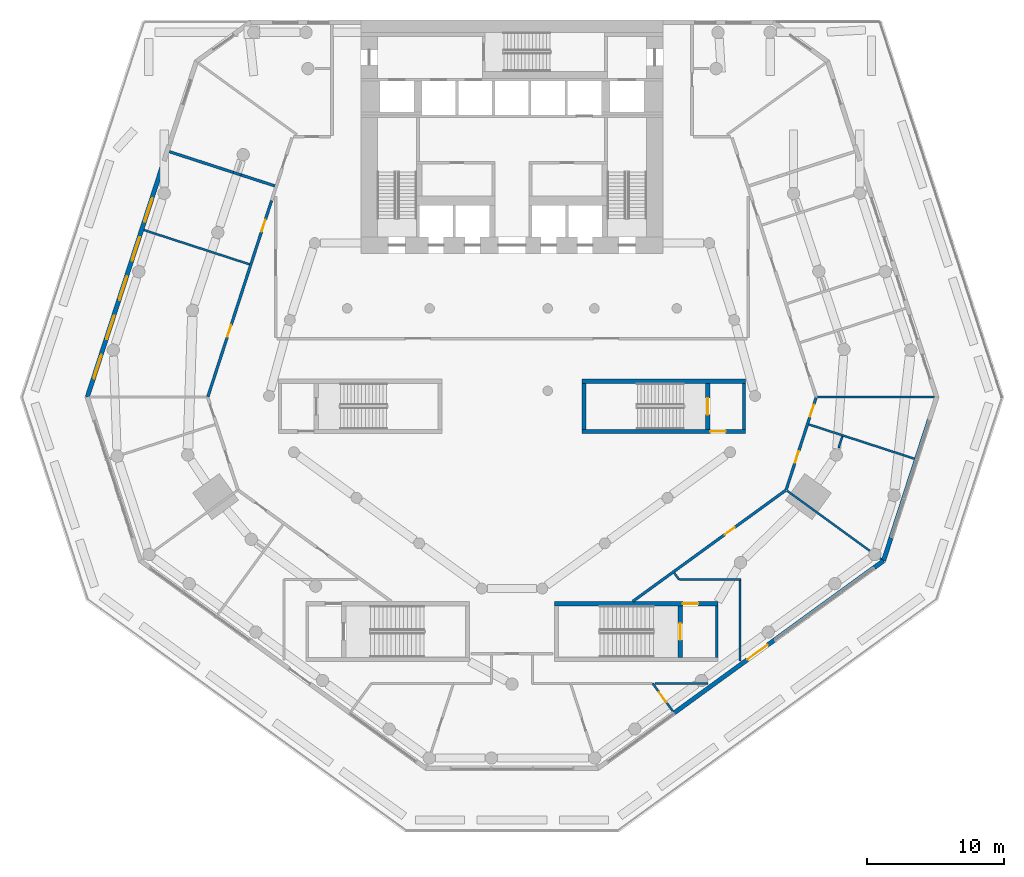
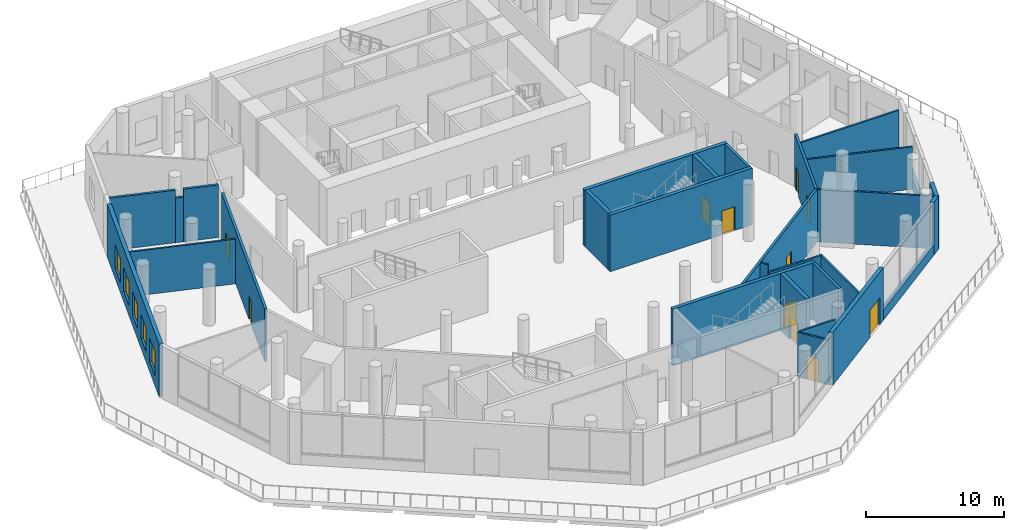
# One storey, part 10 of 19: 30 walls, 11 doors, 5 windows, 16 openings.
"""IFC4 building model written with IfcOpenShell, lengths in metres."""

from ifc_helpers import new_model, si_unit, direction, frame, frame_2d, origin, place, context, subcontext, project, spatial, rectangle, extrude, material, layer, layer_set, type_object, element, fill, save


model = new_model("IFC4")

# Units and contexts
model_context = context("Model", 3, precision=1e-05, world=origin(), true_north=direction((0.0, 1.0)))
body_context = subcontext(model_context, "Body", "Model", "MODEL_VIEW")
ifc_project = project(units=[si_unit("LENGTHUNIT", "METRE"), si_unit("AREAUNIT", "SQUARE_METRE"), si_unit("VOLUMEUNIT", "CUBIC_METRE"), si_unit("PLANEANGLEUNIT", "RADIAN"), si_unit("MASSUNIT", "GRAM", prefix="KILO")], contexts=[model_context])

# Site, building, storey
site_placement = place(None, origin())
site = spatial("IfcSite", under=ifc_project, at=site_placement, CompositionType="ELEMENT")
building_placement = place(site_placement, origin())
building = spatial("IfcBuilding", under=site, at=building_placement, Name="White Candle Pilgrim Tower", CompositionType="ELEMENT")
storey_placement = place(building_placement, frame((0.0, 0.0, 29.0)))
storey = spatial("IfcBuildingStorey", under=building, at=storey_placement, Name="L04", CompositionType="ELEMENT", Elevation=29.0)

# Walls
ifc_material_1 = material(Name="Autoclaved aerated block D500, plastered")
ifc_layer_1 = layer(ifc_material_1, 0.199951171875)
ifc_layer_set_1 = layer_set([ifc_layer_1], Name="Compartment wall 200 mm REI 240")
wall_type_1 = type_object("IfcWallType", Name="Compartment wall 200 mm REI 240", PredefinedType="PARTITIONING", material=ifc_layer_set_1)
wall_1_placement = place(storey_placement, frame((45.05322265625, 78.414306640625, 0.0), z_axis=(0.0, 0.0, 1.0), x_axis=(0.95106819954, -0.308981034733, 0.0)))
element("IfcWall", 1, at=wall_1_placement, inside=storey, type_object=wall_type_1, Name="WL-L04-P020", PredefinedType="PARTITIONING", context=body_context, shape_type="SweptSolid", body=[
    extrude(rectangle(XDim=4.887939453125, YDim=0.199951171875, at=frame_2d((2.44384765625, 0.0))), origin(), (0.0, 0.0, 1.0), 4.64990234375),
])
wall_2_placement = place(storey_placement, frame((49.701904296875, 76.904052734375, 0.0), z_axis=(0.0, 0.0, 1.0), x_axis=(0.951022080269, -0.30912295748, 0.0)))
element("IfcWall", 2, at=wall_2_placement, inside=storey, type_object=wall_type_1, Name="WL-L04-P020a", PredefinedType="PARTITIONING", context=body_context, shape_type="SweptSolid", body=[
    extrude(rectangle(XDim=0.5986328125, YDim=0.199951171875, at=frame_2d((0.29931640625, 0.0))), origin(), (0.0, 0.0, 1.0), 3.949951171875),
])
wall_3_placement = place(storey_placement, frame((50.271240234375, 76.718994140625, 0.0), z_axis=(0.0, 0.0, 1.0), x_axis=(0.951047211668, -0.309045629606, 0.0)))
element("IfcWall", 3, at=wall_3_placement, inside=storey, type_object=wall_type_1, Name="WL-L04-P020b", PredefinedType="PARTITIONING", context=body_context, shape_type="SweptSolid", body=[
    extrude(rectangle(XDim=2.593505859375, YDim=0.199951171875, at=frame_2d((1.296875, 0.0))), origin(), (0.0, 0.0, 1.0), 4.64990234375),
])
ifc_material_2 = material(Name="Concrete C70/85", Category="concrete")
ifc_layer_2 = layer(ifc_material_2, 0.199951171875)
ifc_layer_set_2 = layer_set([ifc_layer_2], Name="Core wall 200 mm Concrete C70/85")
wall_type_2 = type_object("IfcWallType", Name="Core wall 200 mm Concrete C70/85", PredefinedType="SHEAR", material=ifc_layer_set_2)
wall_4_placement = place(storey_placement, frame((84.89990234375, 41.60009765625, 0.0), z_axis=(0.0, 0.0, 1.0), x_axis=(0.0, 1.0, 0.0)))
element("IfcWall", 4, at=wall_4_placement, inside=storey, type_object=wall_type_2, Name="WL-L04-C08", PredefinedType="SHEAR", context=body_context, shape_type="SweptSolid", body=[
    extrude(rectangle(XDim=3.75, YDim=0.199951171875, at=frame_2d((1.875, 0.0))), origin(), (0.0, 0.0, 1.0), 5.0),
])
wall_5_placement = place(storey_placement, frame((86.89990234375, 58.199951171875, 0.0), z_axis=(0.0, 0.0, 1.0), x_axis=(0.0, 1.0, 0.0)))
element("IfcWall", 5, at=wall_5_placement, inside=storey, type_object=wall_type_2, Name="WL-L04-C18", PredefinedType="SHEAR", context=body_context, shape_type="SweptSolid", body=[
    extrude(rectangle(XDim=3.35009765625, YDim=0.199951171875, at=frame_2d((1.675048828125, 0.0))), origin(), (0.0, 0.0, 1.0), 5.0),
])

# Wall, openings, doors
ifc_material_3 = material(Name="Gypsum board on steel studs", Category="steel")
ifc_layer_3 = layer(ifc_material_3, 0.199951171875)
ifc_layer_set_3 = layer_set([ifc_layer_3], Name="Corridor wall 200 mm EI 45")
wall_type_3 = type_object("IfcWallType", Name="Corridor wall 200 mm EI 45", PredefinedType="PARTITIONING", material=ifc_layer_set_3)
wall_6_placement = place(storey_placement, frame((47.856201171875, 60.570068359375, 0.0), z_axis=(0.0, 0.0, 1.0), x_axis=(0.309027605618, 0.951053068428, 0.0)))
wall_6 = element("IfcWall", 6, at=wall_6_placement, inside=storey, type_object=wall_type_3, Name="WL-L04-P003", PredefinedType="PARTITIONING", context=body_context, shape_type="SweptSolid", body=[
    extrude(rectangle(XDim=15.012939453125, YDim=0.199951171875, at=frame_2d((7.50634765625, 0.0))), origin(), (0.0, 0.0, 1.0), 4.64990234375),
])
opening_1_placement = place(wall_6_placement, frame((12.65478515625, 0.0, 0.0)))
opening_1 = element("IfcOpeningElement", 7, at=opening_1_placement, cuts=wall_6, Name="Opening L04-102", PredefinedType="OPENING", context=body_context, shape_type="SweptSolid", body=[
    extrude(rectangle(XDim=0.89990234375, YDim=2.10009765625, at=frame_2d((0.449951171875, 1.050048828125))), frame((0.0, 0.10986328125, 0.0), z_axis=(0.0, -1.0, 0.0), x_axis=(1.0, 0.0, 0.0)), (0.0, 0.0, 1.0), 0.219970703125),
])
opening_2_placement = place(wall_6_placement, frame((4.586181640625, 0.0, 0.0)))
opening_2 = element("IfcOpeningElement", 8, at=opening_2_placement, cuts=wall_6, Name="Opening L04-103", PredefinedType="OPENING", context=body_context, shape_type="SweptSolid", body=[
    extrude(rectangle(XDim=0.89990234375, YDim=2.10009765625, at=frame_2d((0.449951171875, 1.050048828125))), frame((0.0, 0.10986328125, 0.0), z_axis=(0.0, -1.0, 0.0), x_axis=(1.0, 0.0, 0.0)), (0.0, 0.0, 1.0), 0.219970703125),
])
ifc_material_4 = material(Name="Steel door leaf", Category="steel")
door_type_1 = type_object("IfcDoorType", Name="Fire door 900 x 2100 EI 30", OperationType="NOTDEFINED", PredefinedType="DOOR", material=ifc_material_4)
door_1_placement = place(opening_1_placement, origin())
door_1 = element("IfcDoor", 9, at=door_1_placement, inside=storey, type_object=door_type_1, Name="Door L04-102", OperationType="SINGLE_SWING_RIGHT", OverallHeight=2.10009765625, OverallWidth=0.89990234375, PredefinedType="DOOR", context=body_context, shape_type="SweptSolid", body=[
    extrude(rectangle(XDim=0.89990234375, YDim=2.10009765625, at=frame_2d((0.449951171875, 1.050048828125))), frame((0.0, 0.02490234375, 0.0), z_axis=(0.0, -1.0, 0.0), x_axis=(1.0, 0.0, 0.0)), (0.0, 0.0, 1.0), 0.050048828125),
])
fill(opening_1, door_1)
door_2_placement = place(opening_2_placement, origin())
door_2 = element("IfcDoor", 10, at=door_2_placement, inside=storey, type_object=door_type_1, Name="Door L04-103", OperationType="SINGLE_SWING_LEFT", OverallHeight=2.10009765625, OverallWidth=0.89990234375, PredefinedType="DOOR", context=body_context, shape_type="SweptSolid", body=[
    extrude(rectangle(XDim=0.89990234375, YDim=2.10009765625, at=frame_2d((0.449951171875, 1.050048828125))), frame((0.0, 0.02490234375, 0.0), z_axis=(0.0, -1.0, 0.0), x_axis=(1.0, 0.0, 0.0)), (0.0, 0.0, 1.0), 0.050048828125),
])
fill(opening_2, door_2)

wall_7_placement = place(storey_placement, frame((92.143798828125, 60.50830078125, 0.0), z_axis=(0.0, 0.0, 1.0), x_axis=(-0.309023375149, -0.951054443032, 0.0)))
wall_7 = element("IfcWall", 11, at=wall_7_placement, inside=storey, type_object=wall_type_3, Name="WL-L04-P009", PredefinedType="PARTITIONING", context=body_context, shape_type="SweptSolid", body=[
    extrude(rectangle(XDim=7.0439453125, YDim=0.199951171875, at=frame_2d((3.52197265625, 0.0))), origin(), (0.0, 0.0, 1.0), 4.64990234375),
])
opening_3_placement = place(wall_7_placement, frame((4.09912109375, 0.0, 0.0)))
opening_3 = element("IfcOpeningElement", 12, at=opening_3_placement, cuts=wall_7, Name="Opening L04-110", PredefinedType="OPENING", context=body_context, shape_type="SweptSolid", body=[
    extrude(rectangle(XDim=0.89990234375, YDim=2.10009765625, at=frame_2d((0.449951171875, 1.050048828125))), frame((0.0, 0.10986328125, 0.0), z_axis=(0.0, -1.0, 0.0), x_axis=(1.0, 0.0, 0.0)), (0.0, 0.0, 1.0), 0.219970703125),
])
opening_4_placement = place(wall_7_placement, frame((0.544921875, 0.0, 0.0)))
opening_4 = element("IfcOpeningElement", 13, at=opening_4_placement, cuts=wall_7, Name="Opening L04-111", PredefinedType="OPENING", context=body_context, shape_type="SweptSolid", body=[
    extrude(rectangle(XDim=0.89990234375, YDim=2.10009765625, at=frame_2d((0.449951171875, 1.050048828125))), frame((0.0, 0.10986328125, 0.0), z_axis=(0.0, -1.0, 0.0), x_axis=(1.0, 0.0, 0.0)), (0.0, 0.0, 1.0), 0.219970703125),
])
door_3_placement = place(opening_3_placement, origin())
door_3 = element("IfcDoor", 14, at=door_3_placement, inside=storey, type_object=door_type_1, Name="Door L04-110", OperationType="SINGLE_SWING_RIGHT", OverallHeight=2.10009765625, OverallWidth=0.89990234375, PredefinedType="DOOR", context=body_context, shape_type="SweptSolid", body=[
    extrude(rectangle(XDim=0.89990234375, YDim=2.10009765625, at=frame_2d((0.449951171875, 1.050048828125))), frame((0.0, 0.02490234375, 0.0), z_axis=(0.0, -1.0, 0.0), x_axis=(1.0, 0.0, 0.0)), (0.0, 0.0, 1.0), 0.050048828125),
])
fill(opening_3, door_3)
door_4_placement = place(opening_4_placement, origin())
door_4 = element("IfcDoor", 15, at=door_4_placement, inside=storey, type_object=door_type_1, Name="Door L04-111", OperationType="SINGLE_SWING_LEFT", OverallHeight=2.10009765625, OverallWidth=0.89990234375, PredefinedType="DOOR", context=body_context, shape_type="SweptSolid", body=[
    extrude(rectangle(XDim=0.89990234375, YDim=2.10009765625, at=frame_2d((0.449951171875, 1.050048828125))), frame((0.0, 0.02490234375, 0.0), z_axis=(0.0, -1.0, 0.0), x_axis=(1.0, 0.0, 0.0)), (0.0, 0.0, 1.0), 0.050048828125),
])
fill(opening_4, door_4)

# Wall, opening, door
wall_8_placement = place(storey_placement, frame((89.9306640625, 53.759033203125, 0.0), z_axis=(0.0, 0.0, 1.0), x_axis=(-0.809024401628, -0.587775056948, 0.0)))
wall_8 = element("IfcWall", 16, at=wall_8_placement, inside=storey, type_object=wall_type_3, Name="WL-L04-P010", PredefinedType="PARTITIONING", context=body_context, shape_type="SweptSolid", body=[
    extrude(rectangle(XDim=13.763427734375, YDim=0.199951171875, at=frame_2d((6.8818359375, 0.0))), origin(), (0.0, 0.0, 1.0), 4.64990234375),
])
opening_5_placement = place(wall_8_placement, frame((4.586181640625, 0.0, 0.0)))
opening_5 = element("IfcOpeningElement", 17, at=opening_5_placement, cuts=wall_8, Name="Opening L04-109", PredefinedType="OPENING", context=body_context, shape_type="SweptSolid", body=[
    extrude(rectangle(XDim=0.89990234375, YDim=2.10009765625, at=frame_2d((0.449951171875, 1.050048828125))), frame((0.0, 0.10986328125, 0.0), z_axis=(0.0, -1.0, 0.0), x_axis=(1.0, 0.0, 0.0)), (0.0, 0.0, 1.0), 0.219970703125),
])
door_5_placement = place(opening_5_placement, origin())
door_5 = element("IfcDoor", 18, at=door_5_placement, inside=storey, type_object=door_type_1, Name="Door L04-109", OperationType="SINGLE_SWING_LEFT", OverallHeight=2.10009765625, OverallWidth=0.89990234375, PredefinedType="DOOR", context=body_context, shape_type="SweptSolid", body=[
    extrude(rectangle(XDim=0.89990234375, YDim=2.10009765625, at=frame_2d((0.449951171875, 1.050048828125))), frame((0.0, 0.02490234375, 0.0), z_axis=(0.0, -1.0, 0.0), x_axis=(1.0, 0.0, 0.0)), (0.0, 0.0, 1.0), 0.050048828125),
])
fill(opening_5, door_5)

ifc_material_5 = material(Name="Precast concrete C40/50", Category="concrete")
ifc_layer_4 = layer(ifc_material_5, 0.320068359375)
ifc_layer_set_4 = layer_set([ifc_layer_4], Name="Facade wall EW3 precast concrete C40/50 and stone-faced podium wall")
wall_type_4 = type_object("IfcWallType", Name="Facade wall EW3 precast concrete C40/50 and stone-faced podium wall", PredefinedType="SOLIDWALL", material=ifc_layer_set_4)
wall_9_placement = place(storey_placement, frame((81.8037109375, 37.545654296875, 0.0), z_axis=(0.0, 0.0, 1.0), x_axis=(0.809022210299, 0.587778073121, 0.0)))
wall_9 = element("IfcWall", 19, at=wall_9_placement, inside=storey, type_object=wall_type_4, Name="Facade wall L04 SE", PredefinedType="SOLIDWALL", context=body_context, shape_type="SweptSolid", body=[
    extrude(rectangle(XDim=9.0, YDim=0.320068359375, at=frame_2d((4.5, 0.0))), origin(), (0.0, 0.0, 1.0), 4.64990234375),
])
opening_6_placement = place(wall_9_placement, frame((6.60009765625, 0.0, 0.0)))
opening_6 = element("IfcOpeningElement", 20, at=opening_6_placement, cuts=wall_9, Name="Opening L04-925", PredefinedType="OPENING", context=body_context, shape_type="SweptSolid", body=[
    extrude(rectangle(XDim=1.800048828125, YDim=2.39990234375, at=frame_2d((0.89990234375, 1.199951171875))), frame((0.0, 0.169921875, 0.0), z_axis=(0.0, -1.0, 0.0), x_axis=(1.0, 0.0, 0.0)), (0.0, 0.0, 1.0), 0.340087890625),
])
ifc_material_6 = material(Name="Timber frame with laminated glazing", Category="wood")
door_type_2 = type_object("IfcDoorType", Name="Terrace door EN4 1800x2400 double leaf glazed", OperationType="DOUBLE_DOOR_DOUBLE_SWING", PredefinedType="DOOR", material=ifc_material_6)
door_6_placement = place(opening_6_placement, origin())
door_6 = element("IfcDoor", 21, at=door_6_placement, inside=storey, type_object=door_type_2, Name="Door L04 SE 5", OperationType="DOUBLE_DOOR_DOUBLE_SWING", OverallHeight=2.39990234375, OverallWidth=1.800048828125, PredefinedType="DOOR", context=body_context, shape_type="SweptSolid", body=[
    extrude(rectangle(XDim=1.800048828125, YDim=2.39990234375, at=frame_2d((0.89990234375, 1.199951171875))), frame((0.0, 0.0400390625, 0.0), z_axis=(0.0, -1.0, 0.0), x_axis=(1.0, 0.0, 0.0)), (0.0, 0.0, 1.0), 0.050048828125),
])
fill(opening_6, door_6)

# Walls
wall_10_placement = place(storey_placement, frame((89.0849609375, 42.835693359375, 0.0), z_axis=(0.0, 0.0, 1.0), x_axis=(0.808999938455, 0.587808727036, 0.0)))
element("IfcWall", 22, at=wall_10_placement, inside=storey, type_object=wall_type_4, Name="Sill wall L04 SE", PredefinedType="SOLIDWALL", context=body_context, shape_type="SweptSolid", body=[
    extrude(rectangle(XDim=9.0, YDim=0.320068359375, at=frame_2d((4.5, 0.0))), origin(), (0.0, 0.0, 1.0), 0.89990234375),
])
wall_11_placement = place(storey_placement, frame((96.365966796875, 48.1259765625, 0.0), z_axis=(0.0, 0.0, 1.0), x_axis=(0.809172006105, 0.587571837766, 0.0)))
element("IfcWall", 23, at=wall_11_placement, inside=storey, type_object=wall_type_4, Name="Facade wall L04 SE", PredefinedType="SOLIDWALL", context=body_context, shape_type="SweptSolid", body=[
    extrude(rectangle(XDim=0.84716796875, YDim=0.320068359375, at=frame_2d((0.423583984375, 0.0))), origin(), (0.0, 0.0, 1.0), 4.64990234375),
])
wall_12_placement = place(storey_placement, frame((97.051513671875, 48.623779296875, 0.0), z_axis=(0.0, 0.0, 1.0), x_axis=(0.308995332064, 0.951063554534, 0.0)))
element("IfcWall", 24, at=wall_12_placement, inside=storey, type_object=wall_type_4, Name="Facade wall L04 E chamfer", PredefinedType="SOLIDWALL", context=body_context, shape_type="SweptSolid", body=[
    extrude(rectangle(XDim=1.764404296875, YDim=0.320068359375, at=frame_2d((0.88232421875, 0.0))), origin(), (0.0, 0.0, 1.0), 4.64990234375),
])
wall_13_placement = place(storey_placement, frame((97.5966796875, 50.3017578125, 0.0), z_axis=(0.0, 0.0, 1.0), x_axis=(0.309000197986, 0.951061973609, 0.0)))
element("IfcWall", 25, at=wall_13_placement, inside=storey, type_object=wall_type_4, Name="Sill wall L04 E chamfer", PredefinedType="SOLIDWALL", context=body_context, shape_type="SweptSolid", body=[
    extrude(rectangle(XDim=9.0, YDim=0.320068359375, at=frame_2d((4.5, 0.0))), origin(), (0.0, 0.0, 1.0), 0.89990234375),
])

# Wall, openings, windows
wall_14_placement = place(storey_placement, frame((44.66943359375, 77.750732421875, 0.0), z_axis=(0.0, 0.0, 1.0), x_axis=(-0.309010726546, -0.951058552813, 0.0)))
wall_14 = element("IfcWall", 26, at=wall_14_placement, inside=storey, type_object=wall_type_4, Name="Facade wall L04 WNW", PredefinedType="SOLIDWALL", context=body_context, shape_type="SweptSolid", body=[
    extrude(rectangle(XDim=18.097412109375, YDim=0.320068359375, at=frame_2d((9.048828125, 0.0))), origin(), (0.0, 0.0, 1.0), 4.64990234375),
])
opening_7_placement = place(wall_14_placement, frame((2.85009765625, 0.0, 0.89990234375)))
opening_7 = element("IfcOpeningElement", 27, at=opening_7_placement, cuts=wall_14, Name="Opening W8", PredefinedType="OPENING", context=body_context, shape_type="SweptSolid", body=[
    extrude(rectangle(XDim=1.800048828125, YDim=2.10009765625, at=frame_2d((0.89990234375, 1.050048828125))), frame((0.0, 0.169921875, 0.0), z_axis=(0.0, -1.0, 0.0), x_axis=(1.0, 0.0, 0.0)), (0.0, 0.0, 1.0), 0.340087890625),
])
opening_8_placement = place(wall_14_placement, frame((5.85009765625, 0.0, 0.89990234375)))
opening_8 = element("IfcOpeningElement", 28, at=opening_8_placement, cuts=wall_14, Name="Opening W8", PredefinedType="OPENING", context=body_context, shape_type="SweptSolid", body=[
    extrude(rectangle(XDim=1.800048828125, YDim=2.10009765625, at=frame_2d((0.89990234375, 1.050048828125))), frame((0.0, 0.169921875, 0.0), z_axis=(0.0, -1.0, 0.0), x_axis=(1.0, 0.0, 0.0)), (0.0, 0.0, 1.0), 0.340087890625),
])
opening_9_placement = place(wall_14_placement, frame((8.85009765625, 0.0, 0.89990234375)))
opening_9 = element("IfcOpeningElement", 29, at=opening_9_placement, cuts=wall_14, Name="Opening W8", PredefinedType="OPENING", context=body_context, shape_type="SweptSolid", body=[
    extrude(rectangle(XDim=1.800048828125, YDim=2.10009765625, at=frame_2d((0.89990234375, 1.050048828125))), frame((0.0, 0.169921875, 0.0), z_axis=(0.0, -1.0, 0.0), x_axis=(1.0, 0.0, 0.0)), (0.0, 0.0, 1.0), 0.340087890625),
])
opening_10_placement = place(wall_14_placement, frame((11.85009765625, 0.0, 0.89990234375)))
opening_10 = element("IfcOpeningElement", 30, at=opening_10_placement, cuts=wall_14, Name="Opening W8", PredefinedType="OPENING", context=body_context, shape_type="SweptSolid", body=[
    extrude(rectangle(XDim=1.800048828125, YDim=2.10009765625, at=frame_2d((0.89990234375, 1.050048828125))), frame((0.0, 0.169921875, 0.0), z_axis=(0.0, -1.0, 0.0), x_axis=(1.0, 0.0, 0.0)), (0.0, 0.0, 1.0), 0.340087890625),
])
opening_11_placement = place(wall_14_placement, frame((14.85009765625, 0.0, 0.89990234375)))
opening_11 = element("IfcOpeningElement", 31, at=opening_11_placement, cuts=wall_14, Name="Opening W8", PredefinedType="OPENING", context=body_context, shape_type="SweptSolid", body=[
    extrude(rectangle(XDim=1.800048828125, YDim=2.10009765625, at=frame_2d((0.89990234375, 1.050048828125))), frame((0.0, 0.169921875, 0.0), z_axis=(0.0, -1.0, 0.0), x_axis=(1.0, 0.0, 0.0)), (0.0, 0.0, 1.0), 0.340087890625),
])
ifc_material_7 = material(Name="Timber frame with triple glazing", Category="wood")
window_type = type_object("IfcWindowType", Name="Window W8 1800x2100 timber frame triple glazing", PartitioningType="SINGLE_PANEL", PredefinedType="WINDOW", material=ifc_material_7)
window_1_placement = place(opening_7_placement, origin())
window_1 = element("IfcWindow", 32, at=window_1_placement, inside=storey, type_object=window_type, Name="Window W8 L04 WNW 4", OverallHeight=2.10009765625, OverallWidth=1.800048828125, PartitioningType="SINGLE_PANEL", PredefinedType="WINDOW", context=body_context, shape_type="SweptSolid", body=[
    extrude(rectangle(XDim=1.800048828125, YDim=2.10009765625, at=frame_2d((0.89990234375, 1.050048828125))), frame((0.0, 0.070068359375, 0.0), z_axis=(0.0, -1.0, 0.0), x_axis=(1.0, 0.0, 0.0)), (0.0, 0.0, 1.0), 0.06005859375),
])
fill(opening_7, window_1)
window_2_placement = place(opening_8_placement, origin())
window_2 = element("IfcWindow", 33, at=window_2_placement, inside=storey, type_object=window_type, Name="Window W8 L04 WNW 5", OverallHeight=2.10009765625, OverallWidth=1.800048828125, PartitioningType="SINGLE_PANEL", PredefinedType="WINDOW", context=body_context, shape_type="SweptSolid", body=[
    extrude(rectangle(XDim=1.800048828125, YDim=2.10009765625, at=frame_2d((0.89990234375, 1.050048828125))), frame((0.0, 0.070068359375, 0.0), z_axis=(0.0, -1.0, 0.0), x_axis=(1.0, 0.0, 0.0)), (0.0, 0.0, 1.0), 0.06005859375),
])
fill(opening_8, window_2)
window_3_placement = place(opening_9_placement, origin())
window_3 = element("IfcWindow", 34, at=window_3_placement, inside=storey, type_object=window_type, Name="Window W8 L04 WNW 6", OverallHeight=2.10009765625, OverallWidth=1.800048828125, PartitioningType="SINGLE_PANEL", PredefinedType="WINDOW", context=body_context, shape_type="SweptSolid", body=[
    extrude(rectangle(XDim=1.800048828125, YDim=2.10009765625, at=frame_2d((0.89990234375, 1.050048828125))), frame((0.0, 0.070068359375, 0.0), z_axis=(0.0, -1.0, 0.0), x_axis=(1.0, 0.0, 0.0)), (0.0, 0.0, 1.0), 0.06005859375),
])
fill(opening_9, window_3)
window_4_placement = place(opening_10_placement, origin())
window_4 = element("IfcWindow", 35, at=window_4_placement, inside=storey, type_object=window_type, Name="Window W8 L04 WNW 7", OverallHeight=2.10009765625, OverallWidth=1.800048828125, PartitioningType="SINGLE_PANEL", PredefinedType="WINDOW", context=body_context, shape_type="SweptSolid", body=[
    extrude(rectangle(XDim=1.800048828125, YDim=2.10009765625, at=frame_2d((0.89990234375, 1.050048828125))), frame((0.0, 0.070068359375, 0.0), z_axis=(0.0, -1.0, 0.0), x_axis=(1.0, 0.0, 0.0)), (0.0, 0.0, 1.0), 0.06005859375),
])
fill(opening_10, window_4)
window_5_placement = place(opening_11_placement, origin())
window_5 = element("IfcWindow", 36, at=window_5_placement, inside=storey, type_object=window_type, Name="Window W8 L04 WNW 8", OverallHeight=2.10009765625, OverallWidth=1.800048828125, PartitioningType="SINGLE_PANEL", PredefinedType="WINDOW", context=body_context, shape_type="SweptSolid", body=[
    extrude(rectangle(XDim=1.800048828125, YDim=2.10009765625, at=frame_2d((0.89990234375, 1.050048828125))), frame((0.0, 0.070068359375, 0.0), z_axis=(0.0, -1.0, 0.0), x_axis=(1.0, 0.0, 0.0)), (0.0, 0.0, 1.0), 0.06005859375),
])
fill(opening_11, window_5)

# Walls
ifc_layer_5 = layer(ifc_material_3, 0.14990234375)
ifc_layer_set_5 = layer_set([ifc_layer_5], Name="Partition 150 mm EI 60")
wall_type_5 = type_object("IfcWallType", Name="Partition 150 mm EI 60", PredefinedType="PARTITIONING", material=ifc_layer_set_5)
wall_15_placement = place(storey_placement, frame((96.915283203125, 48.72265625, 0.0), z_axis=(0.0, 0.0, 1.0), x_axis=(-0.809007500309, 0.587798319531, 0.0)))
element("IfcWall", 37, at=wall_15_placement, inside=storey, type_object=wall_type_5, Name="WL-L04-P017", PredefinedType="PARTITIONING", context=body_context, shape_type="SweptSolid", body=[
    extrude(rectangle(XDim=8.515869140625, YDim=0.14990234375, at=frame_2d((4.2578125, 0.0))), origin(), (0.0, 0.0, 1.0), 4.64990234375),
])
wall_16_placement = place(storey_placement, frame((100.754638671875, 60.539306640625, 0.0), z_axis=(0.0, 0.0, 1.0), x_axis=(-1.0, 0.0, 0.0)))
element("IfcWall", 38, at=wall_16_placement, inside=storey, type_object=wall_type_5, Name="WL-L04-P018", PredefinedType="PARTITIONING", context=body_context, shape_type="SweptSolid", body=[
    extrude(rectangle(XDim=8.515869140625, YDim=0.14990234375, at=frame_2d((4.2578125, 0.0))), origin(), (0.0, 0.0, 1.0), 3.75),
])
wall_17_placement = place(storey_placement, frame((43.19921875, 72.7080078125, 0.0), z_axis=(0.0, 0.0, 1.0), x_axis=(0.951058046839, -0.309012283804, 0.0)))
element("IfcWall", 39, at=wall_17_placement, inside=storey, type_object=wall_type_5, Name="WL-L04-P021", PredefinedType="PARTITIONING", context=body_context, shape_type="SweptSolid", body=[
    extrude(rectangle(XDim=8.080078125, YDim=0.14990234375, at=frame_2d((4.0400390625, 0.0))), origin(), (0.0, 0.0, 1.0), 3.949951171875),
])

# Wall, opening, door
wall_18_placement = place(storey_placement, frame((81.709716796875, 37.67529296875, 0.0), z_axis=(0.0, 0.0, 1.0), x_axis=(-0.587835231723, 0.808980679834, 0.0)))
wall_18 = element("IfcWall", 40, at=wall_18_placement, inside=storey, type_object=wall_type_5, Name="WL-L04-P025", PredefinedType="PARTITIONING", context=body_context, shape_type="SweptSolid", body=[
    extrude(rectangle(XDim=2.502685546875, YDim=0.14990234375, at=frame_2d((1.25146484375, 0.0))), origin(), (0.0, 0.0, 1.0), 3.949951171875),
])
opening_12_placement = place(wall_18_placement, frame((0.801513671875, 0.0, 0.0)))
opening_12 = element("IfcOpeningElement", 41, at=opening_12_placement, cuts=wall_18, Name="Opening L04-125", PredefinedType="OPENING", context=body_context, shape_type="SweptSolid", body=[
    extrude(rectangle(XDim=0.89990234375, YDim=2.10009765625, at=frame_2d((0.449951171875, 1.050048828125))), frame((0.0, 0.0849609375, 0.0), z_axis=(0.0, -1.0, 0.0), x_axis=(1.0, 0.0, 0.0)), (0.0, 0.0, 1.0), 0.169921875),
])
door_7_placement = place(opening_12_placement, frame((0.89990234375, 0.0, 0.0), z_axis=(0.0, 0.0, 1.0), x_axis=(-1.0, 0.0, 0.0)))
door_7 = element("IfcDoor", 42, at=door_7_placement, inside=storey, type_object=door_type_1, Name="Door L04-125", OperationType="SINGLE_SWING_RIGHT", OverallHeight=2.10009765625, OverallWidth=0.89990234375, PredefinedType="DOOR", context=body_context, shape_type="SweptSolid", body=[
    extrude(rectangle(XDim=0.89990234375, YDim=2.10009765625, at=frame_2d((0.449951171875, 1.050048828125))), frame((0.0, 0.02490234375, 0.0), z_axis=(0.0, -1.0, 0.0), x_axis=(1.0, 0.0, 0.0)), (0.0, 0.0, 1.0), 0.050048828125),
])
fill(opening_12, door_7)

# Walls
wall_19_placement = place(storey_placement, frame((82.169677734375, 47.25, 0.0), z_axis=(0.0, 0.0, 1.0), x_axis=(-0.58790738915, 0.808928242666, 0.0)))
element("IfcWall", 43, at=wall_19_placement, inside=storey, type_object=wall_type_5, Name="WL-L04-P026", PredefinedType="PARTITIONING", context=body_context, shape_type="SweptSolid", body=[
    extrude(rectangle(XDim=0.604248046875, YDim=0.14990234375, at=frame_2d((0.30224609375, 0.0))), origin(), (0.0, 0.0, 1.0), 4.64990234375),
])
wall_20_placement = place(storey_placement, frame((99.298583984375, 56.0576171875, 0.0), z_axis=(0.0, 0.0, 1.0), x_axis=(-0.951058046839, 0.309012283804, 0.0)))
element("IfcWall", 44, at=wall_20_placement, inside=storey, type_object=wall_type_5, Name="WL-L04-P027", PredefinedType="PARTITIONING", context=body_context, shape_type="SweptSolid", body=[
    extrude(rectangle(XDim=8.080078125, YDim=0.14990234375, at=frame_2d((4.0400390625, 0.0))), origin(), (0.0, 0.0, 1.0), 3.75),
])
wall_21_placement = place(storey_placement, frame((93.781005859375, 56.842041015625, 0.0), z_axis=(0.0, 0.0, 1.0), x_axis=(0.309092318163, 0.951032038815, 0.0)))
element("IfcWall", 45, at=wall_21_placement, inside=storey, type_object=wall_type_5, Name="WL-L04-P036", PredefinedType="PARTITIONING", context=body_context, shape_type="SweptSolid", body=[
    extrude(rectangle(XDim=0.8837890625, YDim=0.14990234375, at=frame_2d((0.44189453125, 0.0))), origin(), (0.0, 0.0, 1.0), 3.949951171875),
])
wall_22_placement = place(storey_placement, frame((86.60009765625, 41.328857421875, 0.0), z_axis=(0.0, 0.0, 1.0), x_axis=(0.0, 1.0, 0.0)))
element("IfcWall", 46, at=wall_22_placement, inside=storey, type_object=wall_type_5, Name="WL-L04-P050", PredefinedType="PARTITIONING", context=body_context, shape_type="SweptSolid", body=[
    extrude(rectangle(XDim=5.981201171875, YDim=0.14990234375, at=frame_2d((2.99072265625, 0.0))), origin(), (0.0, 0.0, 1.0), 3.949951171875),
])
wall_23_placement = place(storey_placement, frame((86.659912109375, 47.25, 0.0), z_axis=(0.0, 0.0, 1.0), x_axis=(-1.0, 0.0, 0.0)))
element("IfcWall", 47, at=wall_23_placement, inside=storey, type_object=wall_type_5, Name="WL-L04-P051", PredefinedType="PARTITIONING", context=body_context, shape_type="SweptSolid", body=[
    extrude(rectangle(XDim=4.448974609375, YDim=0.14990234375, at=frame_2d((2.224609375, 0.0))), origin(), (0.0, 0.0, 1.0), 3.949951171875),
])
wall_24_placement = place(storey_placement, frame((80.405517578125, 39.699951171875, 0.0), z_axis=(0.0, 0.0, 1.0), x_axis=(1.0, 0.0, 0.0)))
element("IfcWall", 48, at=wall_24_placement, inside=storey, type_object=wall_type_5, Name="WL-L04-P053", PredefinedType="PARTITIONING", context=body_context, shape_type="SweptSolid", body=[
    extrude(rectangle(XDim=3.869873046875, YDim=0.14990234375, at=frame_2d((1.93505859375, 0.0))), origin(), (0.0, 0.0, 1.0), 3.949951171875),
])

# Wall, opening, door
ifc_layer_6 = layer(ifc_material_2, 0.300048828125)
ifc_layer_set_6 = layer_set([ifc_layer_6], Name="Stair shaft wall 300 mm Concrete C70/85")
wall_type_6 = type_object("IfcWallType", Name="Stair shaft wall 300 mm Concrete C70/85", PredefinedType="SHEAR", material=ifc_layer_set_6)
wall_25_placement = place(storey_placement, frame((82.25, 41.60009765625, 0.0), z_axis=(0.0, 0.0, 1.0), x_axis=(0.0, 1.0, 0.0)))
wall_25 = element("IfcWall", 49, at=wall_25_placement, inside=storey, type_object=wall_type_6, Name="WL-L04-C07", PredefinedType="SHEAR", context=body_context, shape_type="SweptSolid", body=[
    extrude(rectangle(XDim=3.75, YDim=0.300048828125, at=frame_2d((1.875, 0.0))), origin(), (0.0, 0.0, 1.0), 5.0),
])
opening_13_placement = place(wall_25_placement, frame((1.27490234375, 0.0, 0.0)))
opening_13 = element("IfcOpeningElement", 50, at=opening_13_placement, cuts=wall_25, Name="Opening L04-014", PredefinedType="OPENING", context=body_context, shape_type="SweptSolid", body=[
    extrude(rectangle(XDim=1.199951171875, YDim=2.10009765625, at=frame_2d((0.60009765625, 1.050048828125))), frame((0.0, 0.159912109375, 0.0), z_axis=(0.0, -1.0, 0.0), x_axis=(1.0, 0.0, 0.0)), (0.0, 0.0, 1.0), 0.320068359375),
])
door_type_3 = type_object("IfcDoorType", Name="Fire door 1200 x 2100 EI 60", OperationType="NOTDEFINED", PredefinedType="DOOR", material=ifc_material_4)
door_8_placement = place(opening_13_placement, origin())
door_8 = element("IfcDoor", 51, at=door_8_placement, inside=storey, type_object=door_type_3, Name="Door L04-014", OperationType="SINGLE_SWING_RIGHT", OverallHeight=2.10009765625, OverallWidth=1.199951171875, PredefinedType="DOOR", context=body_context, shape_type="SweptSolid", body=[
    extrude(rectangle(XDim=1.199951171875, YDim=2.10009765625, at=frame_2d((0.60009765625, 1.050048828125))), frame((0.0, 0.02490234375, 0.0), z_axis=(0.0, -1.0, 0.0), x_axis=(1.0, 0.0, 0.0)), (0.0, 0.0, 1.0), 0.050048828125),
])
fill(opening_13, door_8)

wall_26_placement = place(storey_placement, frame((73.10009765625, 45.5, 0.0), z_axis=(0.0, 0.0, 1.0), x_axis=(1.0, 0.0, 0.0)))
wall_26 = element("IfcWall", 52, at=wall_26_placement, inside=storey, type_object=wall_type_6, Name="WL-L04-C10", PredefinedType="SHEAR", context=body_context, shape_type="SweptSolid", body=[
    extrude(rectangle(XDim=11.89990234375, YDim=0.300048828125, at=frame_2d((5.949951171875, 0.0))), origin(), (0.0, 0.0, 1.0), 5.0),
])
opening_14_placement = place(wall_26_placement, frame((9.35009765625, 0.0, 0.0)))
opening_14 = element("IfcOpeningElement", 53, at=opening_14_placement, cuts=wall_26, Name="Opening L04-013", PredefinedType="OPENING", context=body_context, shape_type="SweptSolid", body=[
    extrude(rectangle(XDim=1.10009765625, YDim=2.10009765625, at=frame_2d((0.550048828125, 1.050048828125))), frame((0.0, 0.159912109375, 0.0), z_axis=(0.0, -1.0, 0.0), x_axis=(1.0, 0.0, 0.0)), (0.0, 0.0, 1.0), 0.320068359375),
])
door_type_4 = type_object("IfcDoorType", Name="Fire door 1100 x 2100 EI 60", OperationType="NOTDEFINED", PredefinedType="DOOR", material=ifc_material_4)
door_9_placement = place(opening_14_placement, frame((1.10009765625, 0.0, 0.0), z_axis=(0.0, 0.0, 1.0), x_axis=(-1.0, 0.0, 0.0)))
door_9 = element("IfcDoor", 54, at=door_9_placement, inside=storey, type_object=door_type_4, Name="Door L04-013", OperationType="SINGLE_SWING_RIGHT", OverallHeight=2.10009765625, OverallWidth=1.10009765625, PredefinedType="DOOR", context=body_context, shape_type="SweptSolid", body=[
    extrude(rectangle(XDim=1.10009765625, YDim=2.10009765625, at=frame_2d((0.550048828125, 1.050048828125))), frame((0.0, 0.02490234375, 0.0), z_axis=(0.0, -1.0, 0.0), x_axis=(1.0, 0.0, 0.0)), (0.0, 0.0, 1.0), 0.050048828125),
])
fill(opening_14, door_9)

wall_27_placement = place(storey_placement, frame((75.10009765625, 58.050048828125, 0.0), z_axis=(0.0, 0.0, 1.0), x_axis=(1.0, 0.0, 0.0)))
wall_27 = element("IfcWall", 55, at=wall_27_placement, inside=storey, type_object=wall_type_6, Name="WL-L04-C12", PredefinedType="SHEAR", context=body_context, shape_type="SweptSolid", body=[
    extrude(rectangle(XDim=11.89990234375, YDim=0.300048828125, at=frame_2d((5.949951171875, 0.0))), origin(), (0.0, 0.0, 1.0), 5.0),
])
opening_15_placement = place(wall_27_placement, frame((9.35009765625, 0.0, 0.0)))
opening_15 = element("IfcOpeningElement", 56, at=opening_15_placement, cuts=wall_27, Name="Opening L04-009", PredefinedType="OPENING", context=body_context, shape_type="SweptSolid", body=[
    extrude(rectangle(XDim=1.10009765625, YDim=2.10009765625, at=frame_2d((0.550048828125, 1.050048828125))), frame((0.0, 0.159912109375, 0.0), z_axis=(0.0, -1.0, 0.0), x_axis=(1.0, 0.0, 0.0)), (0.0, 0.0, 1.0), 0.320068359375),
])
door_10_placement = place(opening_15_placement, origin())
door_10 = element("IfcDoor", 57, at=door_10_placement, inside=storey, type_object=door_type_4, Name="Door L04-009", OperationType="SINGLE_SWING_LEFT", OverallHeight=2.10009765625, OverallWidth=1.10009765625, PredefinedType="DOOR", context=body_context, shape_type="SweptSolid", body=[
    extrude(rectangle(XDim=1.10009765625, YDim=2.10009765625, at=frame_2d((0.550048828125, 1.050048828125))), frame((0.0, 0.02490234375, 0.0), z_axis=(0.0, -1.0, 0.0), x_axis=(1.0, 0.0, 0.0)), (0.0, 0.0, 1.0), 0.050048828125),
])
fill(opening_15, door_10)

# Wall
wall_28_placement = place(storey_placement, frame((75.25, 58.199951171875, 0.0), z_axis=(0.0, 0.0, 1.0), x_axis=(0.0, 1.0, 0.0)))
element("IfcWall", 58, at=wall_28_placement, inside=storey, type_object=wall_type_6, Name="WL-L04-C16", PredefinedType="SHEAR", context=body_context, shape_type="SweptSolid", body=[
    extrude(rectangle(XDim=3.35009765625, YDim=0.300048828125, at=frame_2d((1.675048828125, 0.0))), origin(), (0.0, 0.0, 1.0), 5.0),
])

# Wall, opening, door
wall_29_placement = place(storey_placement, frame((84.25, 58.199951171875, 0.0), z_axis=(0.0, 0.0, 1.0), x_axis=(0.0, 1.0, 0.0)))
wall_29 = element("IfcWall", 59, at=wall_29_placement, inside=storey, type_object=wall_type_6, Name="WL-L04-C17", PredefinedType="SHEAR", context=body_context, shape_type="SweptSolid", body=[
    extrude(rectangle(XDim=3.35009765625, YDim=0.300048828125, at=frame_2d((1.675048828125, 0.0))), origin(), (0.0, 0.0, 1.0), 5.0),
])
opening_16_placement = place(wall_29_placement, frame((1.074951171875, 0.0, 0.0)))
opening_16 = element("IfcOpeningElement", 60, at=opening_16_placement, cuts=wall_29, Name="Opening L04-010", PredefinedType="OPENING", context=body_context, shape_type="SweptSolid", body=[
    extrude(rectangle(XDim=1.199951171875, YDim=2.10009765625, at=frame_2d((0.60009765625, 1.050048828125))), frame((0.0, 0.159912109375, 0.0), z_axis=(0.0, -1.0, 0.0), x_axis=(1.0, 0.0, 0.0)), (0.0, 0.0, 1.0), 0.320068359375),
])
door_11_placement = place(opening_16_placement, origin())
door_11 = element("IfcDoor", 61, at=door_11_placement, inside=storey, type_object=door_type_3, Name="Door L04-010", OperationType="SINGLE_SWING_RIGHT", OverallHeight=2.10009765625, OverallWidth=1.199951171875, PredefinedType="DOOR", context=body_context, shape_type="SweptSolid", body=[
    extrude(rectangle(XDim=1.199951171875, YDim=2.10009765625, at=frame_2d((0.60009765625, 1.050048828125))), frame((0.0, 0.02490234375, 0.0), z_axis=(0.0, -1.0, 0.0), x_axis=(1.0, 0.0, 0.0)), (0.0, 0.0, 1.0), 0.050048828125),
])
fill(opening_16, door_11)

# Wall
wall_30_placement = place(storey_placement, frame((75.10009765625, 61.699951171875, 0.0), z_axis=(0.0, 0.0, 1.0), x_axis=(1.0, 0.0, 0.0)))
element("IfcWall", 62, at=wall_30_placement, inside=storey, type_object=wall_type_6, Name="WL-L04-C20", PredefinedType="SHEAR", context=body_context, shape_type="SweptSolid", body=[
    extrude(rectangle(XDim=11.89990234375, YDim=0.300048828125, at=frame_2d((5.949951171875, 0.0))), origin(), (0.0, 0.0, 1.0), 5.0),
])

save(model, "model.ifc")
